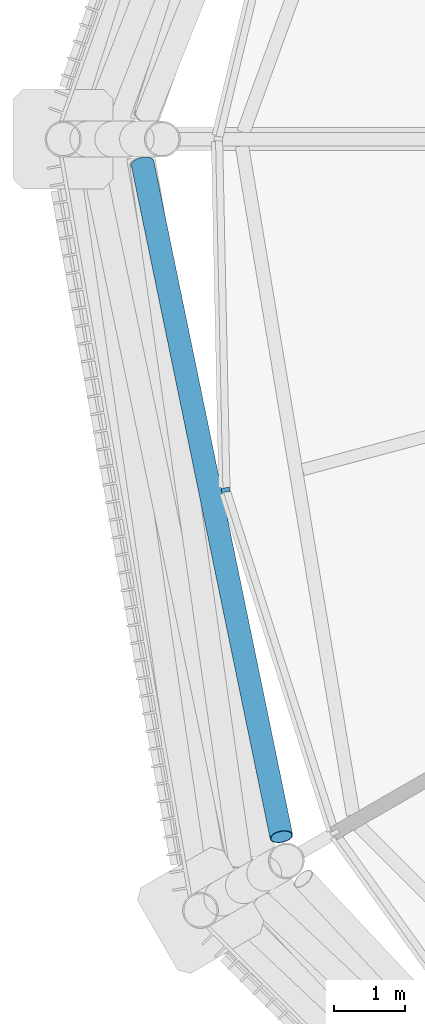
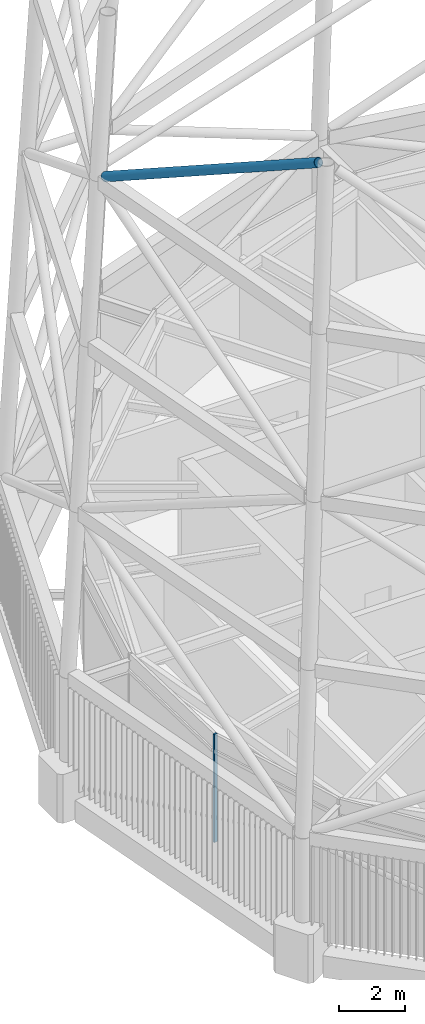
# One storey, part 40 of 71: 2 members, 1 element without a shape of its own.
"""IFC4 building model written with IfcOpenShell, lengths in metres."""

import ifcopenshell
import ifcopenshell.guid

model = None  # the IFC model being written
_history = None  # IfcOwnerHistory: only IFC2X3 demands one
_inside = {}  # id of a spatial element -> (the spatial element, [elements in it])
_under = {}  # id of a project, library or spatial element -> (it, [spatial elements below it])
_declared = {}  # id of a project -> (the project, [libraries it declares])
_typed = {}  # id of a type object -> (the type object, [elements of that type])
_made_of = {}  # id of a material, layer set ... -> (it, [elements and type objects made of it])


def new_model(schema):
    """Start an empty IFC model of exactly this schema.

    Asked for "IFC4X3", IfcOpenShell would pick the latest addendum, in which some entities
    have other attributes; the version numbers below select the first issue.
    IFC2X3 requires an IfcOwnerHistory on every rooted entity: one is made here for all.
    """
    global model, _history
    if schema == "IFC4X3":
        model = ifcopenshell.file(schema_version=(4, 3, 0, 0))
    else:
        model = ifcopenshell.file(schema=schema)
    _inside.clear()
    _under.clear()
    _declared.clear()
    _typed.clear()
    _made_of.clear()
    _history = None
    if model.schema == "IFC2X3":
        org = make("IfcOrganization", Name="unknown")
        user = make(
            "IfcPersonAndOrganization",
            ThePerson=make("IfcPerson", FamilyName="unknown"),
            TheOrganization=org,
        )
        app = make(
            "IfcApplication",
            ApplicationDeveloper=org,
            Version="unknown",
            ApplicationFullName="unknown",
            ApplicationIdentifier="unknown",
        )
        _history = make(
            "IfcOwnerHistory",
            OwningUser=user,
            OwningApplication=app,
            ChangeAction="ADDED",
            CreationDate=0,
        )
    return model


def make(cls, **values):
    """One entity of the class cls with the attributes given. An attribute that is None is left unset."""
    return model.create_entity(
        cls, **{name: value for name, value in values.items() if value is not None}
    )


def rooted(cls, **values):
    """An entity with a GlobalId (a new one), such as an element, a storey or a relation."""
    return make(cls, GlobalId=ifcopenshell.guid.new(), OwnerHistory=_history, **values)


def si_unit(unit_type, name, prefix=None):
    """IfcSIUnit, for example si_unit("LENGTHUNIT", "METRE", prefix="MILLI")."""
    return make("IfcSIUnit", UnitType=unit_type, Prefix=prefix, Name=name)


def assignment(units):
    """IfcUnitAssignment: the units of a project."""
    return None if units is None else make("IfcUnitAssignment", Units=units)


def point(xyz):
    """IfcCartesianPoint."""
    return None if xyz is None else make("IfcCartesianPoint", Coordinates=xyz)


def direction(xyz):
    """IfcDirection."""
    return None if xyz is None else make("IfcDirection", DirectionRatios=xyz)


def frame(location, z_axis=None, x_axis=None):
    """IfcAxis2Placement3D, a coordinate frame: its origin and axes. An axis left out is left unset."""
    return make(
        "IfcAxis2Placement3D",
        Location=point(location),
        Axis=direction(z_axis),
        RefDirection=direction(x_axis),
    )


def frame_2d(location, x_axis=None):
    """IfcAxis2Placement2D, a coordinate frame in the plane: its origin and x axis."""
    return make(
        "IfcAxis2Placement2D", Location=point(location), RefDirection=direction(x_axis)
    )


def origin():
    """The frame at (0, 0, 0) with its axes left unset."""
    return frame((0.0, 0.0, 0.0))


def origin_2d():
    """The frame at (0, 0) in the plane with its x axis left unset."""
    return frame_2d((0.0, 0.0))


def place(relative_to, where):
    """IfcLocalPlacement: puts the frame where relative to a parent placement (None: the world)."""
    return make(
        "IfcLocalPlacement", PlacementRelTo=relative_to, RelativePlacement=where
    )


def context(
    kind, dimensions, precision=None, world=None, true_north=None, identifier=None
):
    """IfcGeometricRepresentationContext, for example the 3D "Model" context."""
    return make(
        "IfcGeometricRepresentationContext",
        ContextIdentifier=identifier,
        ContextType=kind,
        CoordinateSpaceDimension=dimensions,
        Precision=precision,
        WorldCoordinateSystem=world,
        TrueNorth=true_north,
    )


def subcontext(parent, identifier, kind, view, scale=None):
    """IfcGeometricRepresentationSubContext, for example "Body" below "Model"."""
    return make(
        "IfcGeometricRepresentationSubContext",
        ContextIdentifier=identifier,
        ContextType=kind,
        ParentContext=parent,
        TargetScale=scale,
        TargetView=view,
    )


def project(units=None, contexts=None):
    """IfcProject with its units and contexts."""
    return rooted(
        "IfcProject",
        Name="project",
        RepresentationContexts=contexts,
        UnitsInContext=assignment(units),
    )


def spatial(cls, under=None, at=None, **own):
    """A site, building, storey or space (cls), placed at a placement, below another one or the project."""
    s = rooted(cls, ObjectPlacement=at, **own)
    if under is not None:
        _under.setdefault(under.id(), (under, []))[1].append(s)
    return s


def profile(cls, at=None, kind="AREA", **sizes):
    """A parametric profile (cls). Its sizes go by their IFC names, for example OverallWidth=200.0."""
    return make(cls, ProfileType=kind, Position=at, **sizes)


def rectangle(**sizes):
    """IfcRectangleProfileDef."""
    return profile("IfcRectangleProfileDef", **sizes)


def hollow_circle(**sizes):
    """IfcCircleHollowProfileDef."""
    return profile("IfcCircleHollowProfileDef", **sizes)


def extrude(swept, where, along, depth):
    """IfcExtrudedAreaSolid: the profile swept, set in the frame where, extruded along a direction by depth."""
    return make(
        "IfcExtrudedAreaSolid",
        SweptArea=swept,
        Position=where,
        ExtrudedDirection=direction(along),
        Depth=depth,
    )


def shape(context_of_items, identifier, shape_type, items):
    """IfcShapeRepresentation: the items that make up one representation, for example the "Body"."""
    return make(
        "IfcShapeRepresentation",
        ContextOfItems=context_of_items,
        RepresentationIdentifier=identifier,
        RepresentationType=shape_type,
        Items=items,
    )


def material(Name=None, Category=None):
    """IfcMaterial."""
    return make("IfcMaterial", Name=Name, Category=Category)


def material_profile(
    of_material, cross_section, Name=None, Category=None, Priority=None
):
    """IfcMaterialProfile: a cross section and its material."""
    return make(
        "IfcMaterialProfile",
        Name=Name,
        Material=of_material,
        Profile=cross_section,
        Priority=Priority,
        Category=Category,
    )


def profile_set(profiles, Name=None, composite=None):
    """IfcMaterialProfileSet."""
    return make(
        "IfcMaterialProfileSet",
        Name=Name,
        MaterialProfiles=profiles,
        CompositeProfile=composite,
    )


def made_of(thing, what):
    """Note that an element or type object is made of a material, layer set ...; save() writes the relation."""
    if what is not None:
        _made_of.setdefault(what.id(), (what, []))[1].append(thing)
    return thing


def type_object(cls, material=None, **own):
    """A type object (cls), such as IfcWallType, which elements share."""
    return made_of(rooted(cls, **own), material)


def element(
    cls,
    number,
    at=None,
    inside=None,
    cuts=None,
    type_object=None,
    material=None,
    context=None,
    identifier="Body",
    shape_type=None,
    held_by="IfcProductDefinitionShape",
    body=None,
    shapes=None,
    **own,
):
    """One element of the class cls, such as IfcWall. Its Tag is "e" and its number.

    at: its placement. inside: the storey or other place that contains it. cuts: it is an
    opening in that element (IfcRelVoidsElement). A single representation is given by context,
    identifier, shape_type and body (its items); several are given by shapes. held_by: the class
    of the entity that holds the representations. save() writes the other relations.
    """
    e = rooted(cls, Tag="e%d" % number, ObjectPlacement=at, **own)
    if body is not None:
        shapes = [shape(context, identifier, shape_type, body)]
    if shapes is not None:
        e.Representation = make(held_by, Representations=shapes)
    if inside is not None:
        _inside.setdefault(inside.id(), (inside, []))[1].append(e)
    if cuts is not None:
        rooted(
            "IfcRelVoidsElement", RelatingBuildingElement=cuts, RelatedOpeningElement=e
        )
    if type_object is not None:
        _typed.setdefault(type_object.id(), (type_object, []))[1].append(e)
    return made_of(e, material)


def aggregate(whole, parts):
    """IfcRelAggregates: a whole, such as a stair, and the parts it consists of."""
    return rooted("IfcRelAggregates", RelatingObject=whole, RelatedObjects=parts)


def save(model, path):
    """Write the relations noted so far, then the file.

    IfcRelAggregates (storeys below a building ...), IfcRelContainedInSpatialStructure (elements
    in a storey), IfcRelDefinesByType, IfcRelAssociatesMaterial and IfcRelDeclares: one each for
    every whole, place, type object, material and project.
    """
    for whole, parts in _under.values():
        aggregate(whole, parts)
    for where, things in _inside.values():
        rooted(
            "IfcRelContainedInSpatialStructure",
            RelatedElements=things,
            RelatingStructure=where,
        )
    for kind, things in _typed.values():
        rooted("IfcRelDefinesByType", RelatedObjects=things, RelatingType=kind)
    for what, things in _made_of.values():
        rooted("IfcRelAssociatesMaterial", RelatedObjects=things, RelatingMaterial=what)
    for by, libraries in _declared.values():
        rooted("IfcRelDeclares", RelatingContext=by, RelatedDefinitions=libraries)
    model.write(path)


model = new_model("IFC4")

# Units and contexts
model_context = context("Model", 3, precision=1e-05, world=origin(), true_north=direction((0.0, 1.0)))
body_context = subcontext(model_context, "Body", "Model", "MODEL_VIEW")
ifc_project = project(units=[si_unit("LENGTHUNIT", "METRE"), si_unit("AREAUNIT", "SQUARE_METRE"), si_unit("VOLUMEUNIT", "CUBIC_METRE"), si_unit("PLANEANGLEUNIT", "RADIAN"), si_unit("MASSUNIT", "GRAM", prefix="KILO")], contexts=[model_context])

# Site, building, storey
site_placement = place(None, origin())
site = spatial("IfcSite", under=ifc_project, at=site_placement, CompositionType="ELEMENT")
building_placement = place(site_placement, origin())
building = spatial("IfcBuilding", under=site, at=building_placement, Name="Rimbun Link Towers", CompositionType="ELEMENT")
storey_placement = place(building_placement, frame((0.0, 0.0, 267.60009765625)))
storey = spatial("IfcBuildingStorey", under=building, at=storey_placement, Name="L65", CompositionType="ELEMENT", Elevation=267.60009765625)

# Curtain wall, member
ifc_material_1 = material(Name="Aluminium 6063-T6 louvre wall", Category="aluminium")
curtain_wall_type = type_object("IfcCurtainWallType", Name="CW6 plant floor louvre wall", PredefinedType="NOTDEFINED", material=ifc_material_1)
curtain_wall_placement = place(storey_placement, origin())
curtain_wall = element("IfcCurtainWall", 1, at=curtain_wall_placement, inside=storey, type_object=curtain_wall_type, Name="CW6 L65 T2", PredefinedType="NOTDEFINED")
ifc_material_2 = material(Name="Aluminium 6063-T6", Category="aluminium")
ifc_material_profile_1 = material_profile(ifc_material_2, rectangle(XDim=0.1201171875, YDim=0.06005859375, at=origin_2d()), Name="MULLION 60X120")
ifc_profile_set_1 = profile_set([ifc_material_profile_1], Name="Aluminium 6063-T6")
member_type_1 = type_object("IfcMemberType", Name="CW6 mullion 60X120", PredefinedType="MULLION", material=ifc_profile_set_1)
member_1_placement = place(storey_placement, frame((13.25439453125, -4.94970703125, 0.0), z_axis=(0.0, 0.0, 1.0), x_axis=(-0.986503368819, -0.163740964052, 0.0)))
member_1 = element("IfcMember", 2, at=member_1_placement, type_object=member_type_1, Name="CW6 mullion", PredefinedType="MULLION", context=body_context, shape_type="SweptSolid", body=[
    extrude(rectangle(XDim=0.1201171875, YDim=0.06005859375, at=origin_2d()), origin(), (0.0, 0.0, 1.0), 4.0),
])
aggregate(curtain_wall, [member_1])

# Member
ifc_material_3 = material(Name="Steel S355J2H", Category="steel")
ifc_material_profile_2 = material_profile(ifc_material_3, hollow_circle(Radius=0.161865234375, WallThickness=0.011962890625, at=origin_2d()), Name="Crown frame brace CHS 324x12")
ifc_profile_set_2 = profile_set([ifc_material_profile_2], Name="Steel S355J2H")
member_type_2 = type_object("IfcMemberType", Name="Crown frame brace CHS 324x12", PredefinedType="BRACE", material=ifc_profile_set_2)
member_2_placement = place(storey_placement, frame((12.07958984375, -0.33935546875, 22.19970703125), z_axis=(0.174950486497, -0.848302881974, 0.499774496857), x_axis=(0.979388601982, 0.201985064565, 0.0)))
element("IfcMember", 3, at=member_2_placement, inside=storey, type_object=member_type_2, Name="CROWN FRAME brace T2 5-04", PredefinedType="BRACE", context=body_context, shape_type="SweptSolid", body=[
    extrude(hollow_circle(Radius=0.161865234375, WallThickness=0.011962890625, at=origin_2d()), origin(), (0.0, 0.0, 1.0), 11.205810546875),
])

save(model, "model.ifc")
